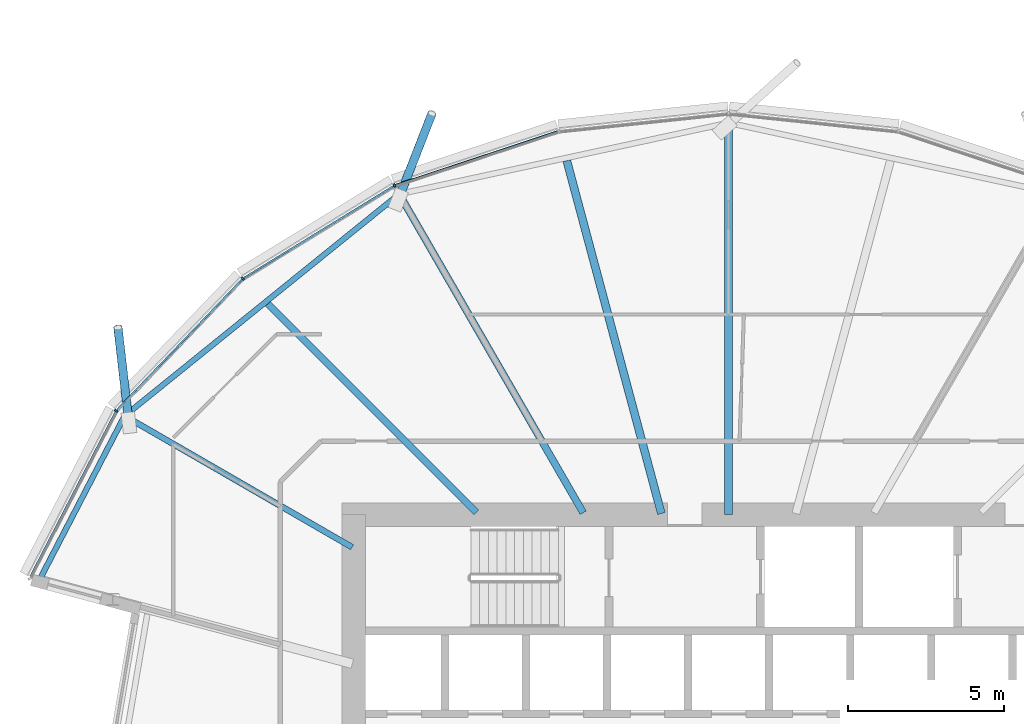
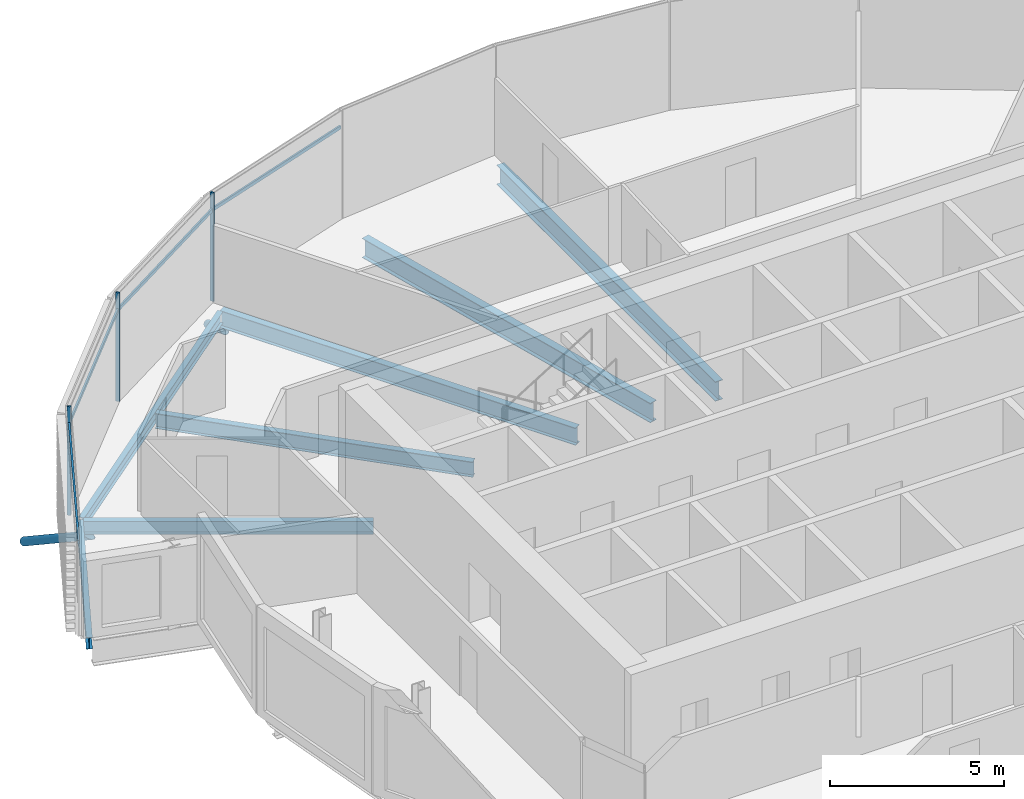
# One storey, part 9 of 39: 9 members, 7 beams, 1 element without a shape of its own.
"""IFC4 building model written with IfcOpenShell, lengths in metres."""

from ifc_helpers import new_model, si_unit, direction, frame, origin, origin_2d, place, context, subcontext, project, spatial, rectangle, hollow_circle, i_section, extrude, clip, halfspace, material, material_profile, profile_set, type_object, element, aggregate, save


model = new_model("IFC4")

# Units and contexts
model_context = context("Model", 3, precision=1e-05, world=origin(), true_north=direction((0.0, 1.0)))
body_context = subcontext(model_context, "Body", "Model", "MODEL_VIEW")
ifc_project = project(units=[si_unit("LENGTHUNIT", "METRE"), si_unit("AREAUNIT", "SQUARE_METRE"), si_unit("VOLUMEUNIT", "CUBIC_METRE"), si_unit("PLANEANGLEUNIT", "RADIAN"), si_unit("MASSUNIT", "GRAM", prefix="KILO")], contexts=[model_context])

# Site, building, storey
site_placement = place(None, origin())
site = spatial("IfcSite", under=ifc_project, at=site_placement, CompositionType="ELEMENT")
building_placement = place(site_placement, origin())
building = spatial("IfcBuilding", under=site, at=building_placement, Name="Rimbun Link Towers", CompositionType="ELEMENT")
storey_placement = place(building_placement, frame((0.0, 0.0, 112.0)))
storey = spatial("IfcBuildingStorey", under=building, at=storey_placement, Name="L27", CompositionType="ELEMENT", Elevation=112.0)

# Curtain wall, members
ifc_material_1 = material(Name="Aluminium 6063-T6 and low-iron glass", Category="aluminium")
curtain_wall_type = type_object("IfcCurtainWallType", Name="CW1-Z2 unitised vision wall (zone 2)", PredefinedType="NOTDEFINED", material=ifc_material_1)
curtain_wall_placement = place(storey_placement, origin())
curtain_wall = element("IfcCurtainWall", 1, at=curtain_wall_placement, inside=storey, type_object=curtain_wall_type, Name="CW1 L27 T1", PredefinedType="NOTDEFINED")
ifc_material_2 = material(Name="Aluminium 6063-T6", Category="aluminium")
ifc_material_profile_1 = material_profile(ifc_material_2, rectangle(XDim=0.1201171875, YDim=0.06005859375, at=origin_2d()), Name="MULLION 60X120")
ifc_profile_set_1 = profile_set([ifc_material_profile_1], Name="Aluminium 6063-T6")
member_type_1 = type_object("IfcMemberType", Name="CW1 mullion 60X120", PredefinedType="MULLION", material=ifc_profile_set_1)
member_1_placement = place(storey_placement, frame((-42.443359375, 18.531982421875, 0.0), z_axis=(0.0, 0.0, 1.0), x_axis=(-0.421703066338, 0.906733987364, 0.0)))
member_1 = element("IfcMember", 2, at=member_1_placement, type_object=member_type_1, Name="CW1 mullion", PredefinedType="MULLION", context=body_context, shape_type="SweptSolid", body=[
    extrude(rectangle(XDim=0.1201171875, YDim=0.06005859375, at=origin_2d()), origin(), (0.0, 0.0, 1.0), 3.800048828125),
])
member_2_placement = place(storey_placement, frame((-47.294189453125, 15.55322265625, 0.0), z_axis=(0.0, 0.0, 1.0), x_axis=(-0.627670379428, 0.77847921924, 0.0)))
member_2 = element("IfcMember", 3, at=member_2_placement, type_object=member_type_1, Name="CW1 mullion", PredefinedType="MULLION", context=body_context, shape_type="SweptSolid", body=[
    extrude(rectangle(XDim=0.1201171875, YDim=0.06005859375, at=origin_2d()), origin(), (0.0, 0.0, 1.0), 3.800048828125),
])
member_3_placement = place(storey_placement, frame((-51.35009765625, 11.32275390625, 0.0), z_axis=(0.0, 0.0, 1.0), x_axis=(-0.813347457753, 0.581778233494, 0.0)))
member_3 = element("IfcMember", 4, at=member_3_placement, type_object=member_type_1, Name="CW1 mullion", PredefinedType="MULLION", context=body_context, shape_type="SweptSolid", body=[
    extrude(rectangle(XDim=0.1201171875, YDim=0.06005859375, at=origin_2d()), origin(), (0.0, 0.0, 1.0), 3.800048828125),
])
ifc_material_3 = material(Name="Aluminium 6063-T6", Category="aluminium")
ifc_material_profile_2 = material_profile(ifc_material_3, rectangle(XDim=0.06005859375, YDim=0.1201171875, at=origin_2d()), Name="TRANSOM 60X120")
ifc_profile_set_2 = profile_set([ifc_material_profile_2], Name="Aluminium 6063-T6")
member_type_2 = type_object("IfcMemberType", Name="CW1 transom 60X120", PredefinedType="USERDEFINED", material=ifc_profile_set_2)
member_4_placement = place(storey_placement, frame((-42.40771484375, 18.5419921875, 3.199951171875), z_axis=(0.949230712226, 0.314580760645, 0.0), x_axis=(-0.314580760645, 0.949230712226, 0.0)))
member_4 = element("IfcMember", 5, at=member_4_placement, type_object=member_type_2, Name="CW1 transom", ObjectType="TRANSOM", PredefinedType="USERDEFINED", context=body_context, shape_type="SweptSolid", body=[
    extrude(rectangle(XDim=0.06005859375, YDim=0.1201171875, at=origin_2d()), origin(), (0.0, 0.0, 1.0), 5.471435546875),
])
member_5_placement = place(storey_placement, frame((-47.261474609375, 15.57177734375, 3.199951171875), z_axis=(0.852195022347, 0.523224276852, 0.0), x_axis=(-0.523224276852, 0.852195022347, 0.0)))
member_5 = element("IfcMember", 6, at=member_5_placement, type_object=member_type_2, Name="CW1 transom", ObjectType="TRANSOM", PredefinedType="USERDEFINED", context=body_context, shape_type="SweptSolid", body=[
    extrude(rectangle(XDim=0.06005859375, YDim=0.1201171875, at=origin_2d()), origin(), (0.0, 0.0, 1.0), 5.617919921875),
])
member_6_placement = place(storey_placement, frame((-51.322265625, 11.349609375, 3.199951171875), z_axis=(0.692029109904, 0.721869594211, 0.0), x_axis=(-0.721869594211, 0.692029109904, 0.0)))
member_6 = element("IfcMember", 7, at=member_6_placement, type_object=member_type_2, Name="CW1 transom", ObjectType="TRANSOM", PredefinedType="USERDEFINED", context=body_context, shape_type="SweptSolid", body=[
    extrude(rectangle(XDim=0.06005859375, YDim=0.1201171875, at=origin_2d()), origin(), (0.0, 0.0, 1.0), 5.784423828125),
])
member_7_placement = place(storey_placement, frame((-54.087890625, 6.028564453125, 3.199951171875), z_axis=(0.459572084656, 0.888140472563, 0.0), x_axis=(-0.888140472563, 0.459572084656, 0.0)))
member_7 = element("IfcMember", 8, at=member_7_placement, type_object=member_type_2, Name="CW1 transom", ObjectType="TRANSOM", PredefinedType="USERDEFINED", context=body_context, shape_type="SweptSolid", body=[
    extrude(rectangle(XDim=0.06005859375, YDim=0.1201171875, at=origin_2d()), origin(), (0.0, 0.0, 1.0), 5.921630859375),
])
aggregate(curtain_wall, [member_1, member_2, member_3, member_4, member_5, member_6, member_7])

# Members
ifc_material_4 = material(Name="Steel S355J2H", Category="steel")
ifc_material_profile_3 = material_profile(ifc_material_4, hollow_circle(Radius=0.136474609375, WallThickness=0.012451171875, at=origin_2d()), Name="CHS 273x12.5")
ifc_profile_set_3 = profile_set([ifc_material_profile_3], Name="Steel S355J2H")
member_type_3 = type_object("IfcMemberType", Name="Floor edge link CHS 273x12.5", PredefinedType="BRACE", material=ifc_profile_set_3)
member_8_placement = place(storey_placement, frame((-42.265380859375, 18.213134765625, -0.87841796875), z_axis=(0.307854732276, 0.789892355831, -0.530373010262), x_axis=(-0.931735704147, 0.363137133351, 0.0)))
element("IfcMember", 9, at=member_8_placement, inside=storey, type_object=member_type_3, Name="Floor edge link T1 L27 08", PredefinedType="BRACE", context=body_context, shape_type="Clipping", body=[
    clip(extrude(hollow_circle(Radius=0.136474609375, WallThickness=0.012451171875, at=origin_2d()), frame((0.0, 0.0, -0.455078125)), (0.0, 0.0, 1.0), 3.7939453125), halfspace(frame((0.0, 0.0, -0.214599609375), z_axis=(0.0, 0.847764395328, -0.530373010262)), False)),
])
member_9_placement = place(storey_placement, frame((-50.95703125, 11.089111328125, -0.72900390625), z_axis=(-0.097069219847, 0.840350159622, -0.533281516445), x_axis=(-0.993394694951, -0.114747462037, 0.0)))
element("IfcMember", 10, at=member_9_placement, inside=storey, type_object=member_type_3, Name="Floor edge link T1 L27 10", PredefinedType="BRACE", context=body_context, shape_type="Clipping", body=[
    clip(extrude(hollow_circle(Radius=0.136474609375, WallThickness=0.012451171875, at=origin_2d()), frame((0.0, 0.0, -0.451904296875)), (0.0, 0.0, 1.0), 3.9150390625), halfspace(frame((0.0, 0.0, -0.213134765625), z_axis=(0.0, 0.845937837089, -0.533281516445)), False)),
])

# Beams
ifc_material_5 = material(Name="Steel S355J2", Category="steel")
ifc_material_profile_4 = material_profile(ifc_material_5, i_section(OverallWidth=0.177978515625, OverallDepth=0.406494140625, WebThickness=0.0078125, FlangeThickness=0.0126953125, at=origin_2d()), Name="UB 406x178x60")
ifc_profile_set_4 = profile_set([ifc_material_profile_4], Name="Steel S355J2")
beam_type_1 = type_object("IfcBeamType", Name="UB 406x178x60", PredefinedType="BEAM", material=ifc_profile_set_4)
beam_1_placement = place(storey_placement, frame((-42.380859375, 18.183349609375, -0.36328125), z_axis=(-0.777963970016, -0.628308890083, 0.0), x_axis=(0.628308890083, -0.777963970016, 0.0)))
element("IfcBeam", 11, at=beam_1_placement, inside=storey, type_object=beam_type_1, Name="Edge beam T1 L27 08-10", PredefinedType="BEAM", context=body_context, shape_type="SweptSolid", body=[
    extrude(i_section(OverallWidth=0.177978515625, OverallDepth=0.406494140625, WebThickness=0.0078125, FlangeThickness=0.0126953125, at=origin_2d()), origin(), (0.0, 0.0, 1.0), 11.076904296875),
])
beam_2_placement = place(storey_placement, frame((-51.07861328125, 11.158203125, -0.36328125), z_axis=(-0.460655785928, -0.887578867984, 0.0), x_axis=(0.887578867984, -0.460655785928, 0.0)))
element("IfcBeam", 12, at=beam_2_placement, inside=storey, type_object=beam_type_1, Name="Edge beam T1 L27 10", PredefinedType="BEAM", context=body_context, shape_type="SweptSolid", body=[
    extrude(i_section(OverallWidth=0.177978515625, OverallDepth=0.406494140625, WebThickness=0.0078125, FlangeThickness=0.0126953125, at=origin_2d()), origin(), (0.0, 0.0, 1.0), 5.9130859375),
])
ifc_material_6 = material(Name="Steel S355J2", Category="steel")
ifc_material_profile_5 = material_profile(ifc_material_6, i_section(OverallWidth=0.18994140625, OverallDepth=0.453369140625, WebThickness=0.008544921875, FlangeThickness=0.0126953125, at=origin_2d()), Name="UB 457x191x67")
ifc_profile_set_5 = profile_set([ifc_material_profile_5], Name="Steel S355J2")
beam_type_2 = type_object("IfcBeamType", Name="UB 457x191x67", PredefinedType="BEAM", material=ifc_profile_set_5)
beam_3_placement = place(storey_placement, frame((-43.79833984375, 6.9560546875, -0.38671875), z_axis=(-0.866015940583, 0.500016390387, 0.0), x_axis=(-0.500016390387, -0.866015940583, 0.0)))
element("IfcBeam", 13, at=beam_3_placement, inside=storey, type_object=beam_type_2, Name="Radial beam T1 L27 10", PredefinedType="BEAM", context=body_context, shape_type="SweptSolid", body=[
    extrude(i_section(OverallWidth=0.18994140625, OverallDepth=0.453369140625, WebThickness=0.008544921875, FlangeThickness=0.0126953125, at=origin_2d()), origin(), (0.0, 0.0, 1.0), 8.316162109375),
])
ifc_material_7 = material(Name="Steel S355J2", Category="steel")
ifc_material_profile_6 = material_profile(ifc_material_7, i_section(OverallWidth=0.209228515625, OverallDepth=0.533203125, WebThickness=0.010009765625, FlangeThickness=0.015625, at=origin_2d()), Name="UB 533x210x92")
ifc_profile_set_6 = profile_set([ifc_material_profile_6], Name="Steel S355J2")
beam_type_3 = type_object("IfcBeamType", Name="UB 533x210x92", PredefinedType="BEAM", material=ifc_profile_set_6)
beam_4_placement = place(storey_placement, frame((-39.82470703125, 8.07470703125, -0.426513671875), z_axis=(-0.707106781187, 0.707106781187, 0.0), x_axis=(-0.707106781187, -0.707106781187, 0.0)))
element("IfcBeam", 14, at=beam_4_placement, inside=storey, type_object=beam_type_3, Name="Radial beam T1 L27 09", PredefinedType="BEAM", context=body_context, shape_type="SweptSolid", body=[
    extrude(i_section(OverallWidth=0.209228515625, OverallDepth=0.533203125, WebThickness=0.010009765625, FlangeThickness=0.015625, at=origin_2d()), origin(), (0.0, 0.0, 1.0), 9.433349609375),
])
ifc_material_8 = material(Name="Steel S355J2", Category="steel")
ifc_material_profile_7 = material_profile(ifc_material_8, i_section(OverallWidth=0.2275390625, OverallDepth=0.6025390625, WebThickness=0.010498046875, FlangeThickness=0.014892578125, at=origin_2d()), Name="UB 610x229x101")
ifc_profile_set_7 = profile_set([ifc_material_profile_7], Name="Steel S355J2")
beam_type_4 = type_object("IfcBeamType", Name="UB 610x229x101", PredefinedType="BEAM", material=ifc_profile_set_7)
beam_5_placement = place(storey_placement, frame((-36.402099609375, 8.057861328125, -0.461181640625), z_axis=(-0.500005398586, 0.866022286887, 0.0), x_axis=(-0.866022286887, -0.500005398586, 0.0)))
element("IfcBeam", 15, at=beam_5_placement, inside=storey, type_object=beam_type_4, Name="Radial beam T1 L27 08", PredefinedType="BEAM", context=body_context, shape_type="SweptSolid", body=[
    extrude(i_section(OverallWidth=0.2275390625, OverallDepth=0.6025390625, WebThickness=0.010498046875, FlangeThickness=0.014892578125, at=origin_2d()), origin(), (0.0, 0.0, 1.0), 11.776123046875),
])
ifc_material_9 = material(Name="Steel S355J2", Category="steel")
ifc_material_profile_8 = material_profile(ifc_material_9, i_section(OverallWidth=0.253662109375, OverallDepth=0.68359375, WebThickness=0.012451171875, FlangeThickness=0.01904296875, at=origin_2d()), Name="UB 686x254x140")
ifc_profile_set_8 = profile_set([ifc_material_profile_8], Name="Steel S355J2")
beam_type_5 = type_object("IfcBeamType", Name="UB 686x254x140", PredefinedType="BEAM", material=ifc_profile_set_8)
beam_6_placement = place(storey_placement, frame((-31.75, 8.0009765625, -0.501708984375), z_axis=(0.0, 1.0, 0.0), x_axis=(-1.0, 0.0, 0.0)))
element("IfcBeam", 16, at=beam_6_placement, inside=storey, type_object=beam_type_5, Name="Radial beam T1 L27 06", PredefinedType="BEAM", context=body_context, shape_type="SweptSolid", body=[
    extrude(i_section(OverallWidth=0.253662109375, OverallDepth=0.68359375, WebThickness=0.012451171875, FlangeThickness=0.01904296875, at=origin_2d()), origin(), (0.0, 0.0, 1.0), 12.53564453125),
])
beam_7_placement = place(storey_placement, frame((-33.902587890625, 8.03369140625, -0.501708984375), z_axis=(-0.258822040224, 0.965925023744, 0.0), x_axis=(-0.965925023744, -0.258822040224, 0.0)))
element("IfcBeam", 17, at=beam_7_placement, inside=storey, type_object=beam_type_5, Name="Radial beam T1 L27 07", PredefinedType="BEAM", context=body_context, shape_type="SweptSolid", body=[
    extrude(i_section(OverallWidth=0.253662109375, OverallDepth=0.68359375, WebThickness=0.012451171875, FlangeThickness=0.01904296875, at=origin_2d()), origin(), (0.0, 0.0, 1.0), 11.68896484375),
])

save(model, "model.ifc")
